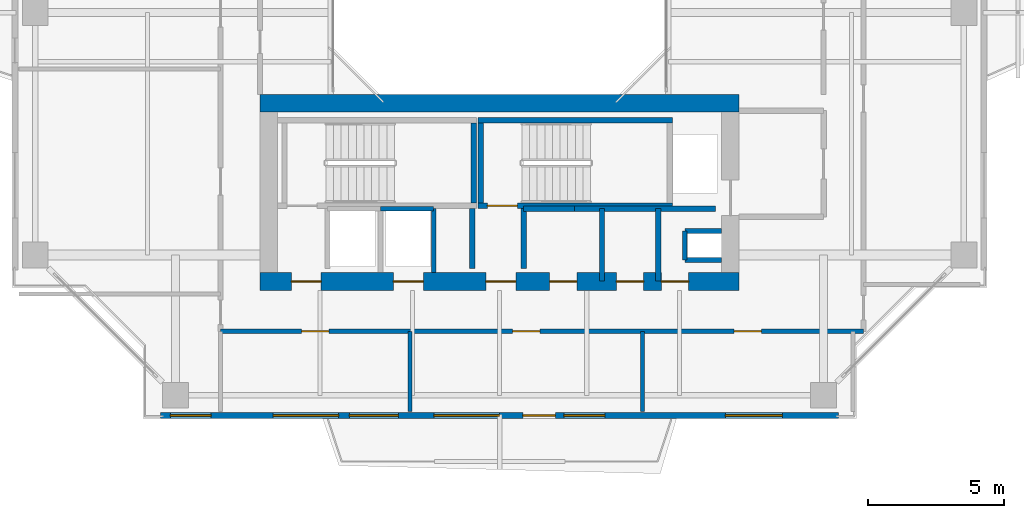
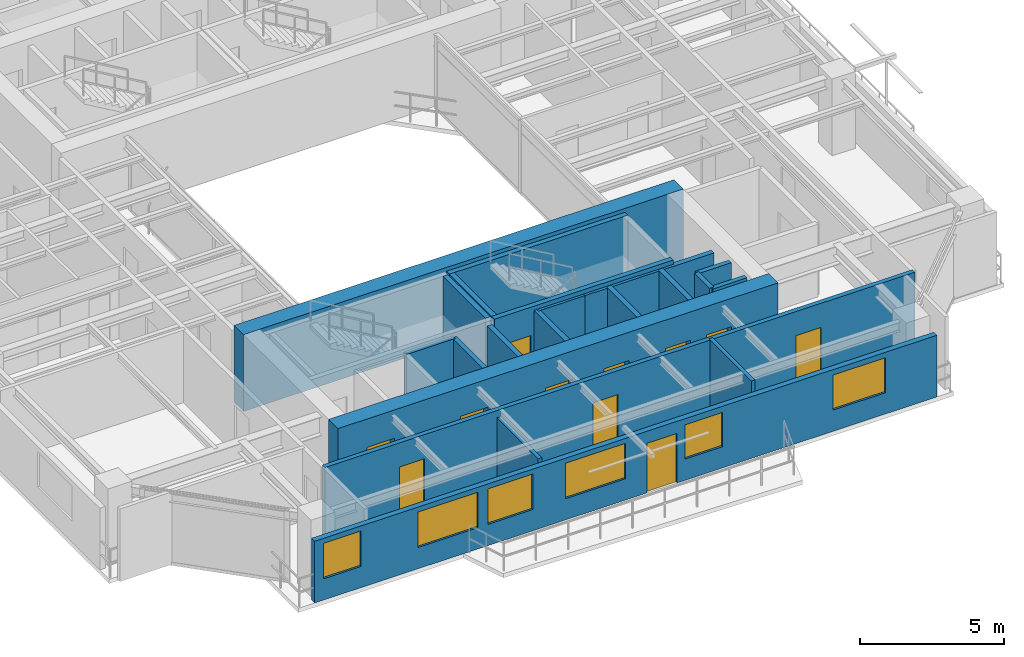
# One storey, part 10 of 17: 21 walls, 11 doors, 6 windows, 17 openings.
"""IFC4 building model written with IfcOpenShell, lengths in metres."""

from ifc_helpers import new_model, si_unit, direction, frame, frame_2d, origin, place, context, subcontext, project, spatial, rectangle, extrude, source, transform, mapped, material, layer, layer_set, type_object, element, fill, save


model = new_model("IFC4")

# Units and contexts
model_context = context("Model", 3, precision=1e-05, world=origin(), true_north=direction((0.0, 1.0)))
body_context = subcontext(model_context, "Body", "Model", "MODEL_VIEW")
ifc_project = project(units=[si_unit("LENGTHUNIT", "METRE"), si_unit("AREAUNIT", "SQUARE_METRE"), si_unit("VOLUMEUNIT", "CUBIC_METRE"), si_unit("PLANEANGLEUNIT", "RADIAN"), si_unit("MASSUNIT", "GRAM", prefix="KILO"), si_unit("THERMODYNAMICTEMPERATUREUNIT", "KELVIN"), si_unit("POWERUNIT", "WATT")], contexts=[model_context])

# Site, building, storey
site_placement = place(None, origin())
site = spatial("IfcSite", under=ifc_project, at=site_placement, CompositionType="ELEMENT")
building_placement = place(site_placement, origin())
building = spatial("IfcBuilding", under=site, at=building_placement, Name="Qiaomeng Ring Towers", CompositionType="ELEMENT")
storey_placement = place(building_placement, frame((0.0, 0.0, 150.25)))
storey = spatial("IfcBuildingStorey", under=building, at=storey_placement, Name="L43", CompositionType="ELEMENT", Elevation=150.25)

# Wall, openings, windows, door
ifc_material_1 = material(Name="Precast concrete C40", Category="concrete")
ifc_layer_1 = layer(ifc_material_1, 0.219970703125, Name="Precast concrete C40")
ifc_layer_set_1 = layer_set([ifc_layer_1], Name="Precast concrete C40")
wall_type_1 = type_object("IfcWallType", Name="ARC-WL-EW2", PredefinedType="STANDARD", material=ifc_layer_set_1)
wall_1_placement = place(storey_placement, frame((6.550048828125, 5.2099609375, 0.0), z_axis=(0.0, 0.0, 1.0), x_axis=(1.0, 0.0, 0.0)))
wall_1 = element("IfcWall", 1, at=wall_1_placement, inside=storey, type_object=wall_type_1, Name="L43 Tower 1 S Exterior Wall", PredefinedType="STANDARD", context=body_context, shape_type="SweptSolid", body=[
    extrude(rectangle(XDim=24.89990234375, YDim=0.219970703125, at=frame_2d((12.449951171875, 0.0))), origin(), (0.0, 0.0, 1.0), 2.610107421875),
])
opening_1_placement = place(wall_1_placement, frame((13.300048828125, 0.0, 0.0)))
opening_1 = element("IfcOpeningElement", 2, at=opening_1_placement, cuts=wall_1, Name="Opening BD1", PredefinedType="OPENING", context=body_context, shape_type="SweptSolid", body=[
    extrude(rectangle(XDim=1.199951171875, YDim=2.10009765625, at=frame_2d((0.60009765625, 1.050048828125))), frame((0.0, 0.119873046875, 0.0), z_axis=(0.0, -1.0, 0.0), x_axis=(1.0, 0.0, 0.0)), (0.0, 0.0, 1.0), 0.239990234375),
])
opening_2_placement = place(wall_1_placement, frame((0.357421875, 0.0, 0.89990234375)))
opening_2 = element("IfcOpeningElement", 3, at=opening_2_placement, cuts=wall_1, Name="Opening WN2", PredefinedType="OPENING", context=body_context, shape_type="SweptSolid", body=[
    extrude(rectangle(XDim=1.5, YDim=1.5, at=frame_2d((0.75, 0.75))), frame((0.0, 0.119873046875, 0.0), z_axis=(0.0, -1.0, 0.0), x_axis=(1.0, 0.0, 0.0)), (0.0, 0.0, 1.0), 0.239990234375),
])
opening_3_placement = place(wall_1_placement, frame((6.9306640625, 0.0, 0.89990234375)))
opening_3 = element("IfcOpeningElement", 4, at=opening_3_placement, cuts=wall_1, Name="Opening WN1", PredefinedType="OPENING", context=body_context, shape_type="SweptSolid", body=[
    extrude(rectangle(XDim=1.800048828125, YDim=1.5, at=frame_2d((0.89990234375, 0.75))), frame((0.0, 0.119873046875, 0.0), z_axis=(0.0, -1.0, 0.0), x_axis=(1.0, 0.0, 0.0)), (0.0, 0.0, 1.0), 0.239990234375),
])
opening_4_placement = place(wall_1_placement, frame((14.81298828125, 0.0, 0.89990234375)))
opening_4 = element("IfcOpeningElement", 5, at=opening_4_placement, cuts=wall_1, Name="Opening WN2", PredefinedType="OPENING", context=body_context, shape_type="SweptSolid", body=[
    extrude(rectangle(XDim=1.5, YDim=1.449951171875, at=frame_2d((0.75, 0.72509765625))), frame((0.0, 0.119873046875, 0.0), z_axis=(0.0, -1.0, 0.0), x_axis=(1.0, 0.0, 0.0)), (0.0, 0.0, 1.0), 0.239990234375),
])
opening_5_placement = place(wall_1_placement, frame((20.738037109375, 0.0, 0.89990234375)))
opening_5 = element("IfcOpeningElement", 6, at=opening_5_placement, cuts=wall_1, Name="Opening WN4", PredefinedType="OPENING", context=body_context, shape_type="SweptSolid", body=[
    extrude(rectangle(XDim=2.10009765625, YDim=1.47998046875, at=frame_2d((1.050048828125, 0.739990234375))), frame((0.0, 0.119873046875, 0.0), z_axis=(0.0, -1.0, 0.0), x_axis=(1.0, 0.0, 0.0)), (0.0, 0.0, 1.0), 0.239990234375),
])
opening_6_placement = place(wall_1_placement, frame((4.136474609375, 0.0, 0.89990234375)))
opening_6 = element("IfcOpeningElement", 7, at=opening_6_placement, cuts=wall_1, Name="Opening WN6", PredefinedType="OPENING", context=body_context, shape_type="SweptSolid", body=[
    extrude(rectangle(XDim=2.39990234375, YDim=1.5, at=frame_2d((1.199951171875, 0.75))), frame((0.0, 0.119873046875, 0.0), z_axis=(0.0, -1.0, 0.0), x_axis=(1.0, 0.0, 0.0)), (0.0, 0.0, 1.0), 0.239990234375),
])
opening_7_placement = place(wall_1_placement, frame((10.03759765625, 0.0, 0.89990234375)))
opening_7 = element("IfcOpeningElement", 8, at=opening_7_placement, cuts=wall_1, Name="Opening WN6", PredefinedType="OPENING", context=body_context, shape_type="SweptSolid", body=[
    extrude(rectangle(XDim=2.39990234375, YDim=1.5, at=frame_2d((1.199951171875, 0.75))), frame((0.0, 0.119873046875, 0.0), z_axis=(0.0, -1.0, 0.0), x_axis=(1.0, 0.0, 0.0)), (0.0, 0.0, 1.0), 0.239990234375),
])
ifc_material_2 = material(Name="Low-E dark-grey laminated double glazing", Category="glass")
window_type_1 = type_object("IfcWindowType", Name="ARC-WN-2", PartitioningType="DOUBLE_PANEL_VERTICAL", PredefinedType="WINDOW", material=ifc_material_2)
shared_shape_1 = source(origin(), body_context, "Body", "SweptSolid", [
    extrude(rectangle(XDim=1.5, YDim=1.449951171875, at=frame_2d((0.75, 0.72509765625))), frame((0.0, 0.030029296875, 0.0), z_axis=(0.0, -1.0, 0.0), x_axis=(1.0, 0.0, 0.0)), (0.0, 0.0, 1.0), 0.06005859375),
])
window_1_placement = place(opening_4_placement, origin())
window_1 = element("IfcWindow", 9, at=window_1_placement, inside=storey, type_object=window_type_1, Name="L43 Exterior Window WN2", OverallHeight=1.449951171875, OverallWidth=1.5, PartitioningType="DOUBLE_PANEL_VERTICAL", PredefinedType="WINDOW", context=body_context, shape_type="MappedRepresentation", body=[
    mapped(shared_shape_1, transform((0.0, 0.0, 0.0), x_axis=(1.0, 0.0, 0.0), y_axis=(0.0, 1.0, 0.0), z_axis=(0.0, 0.0, 1.0), scale=1.0)),
])
fill(opening_4, window_1)
window_type_2 = type_object("IfcWindowType", Name="ARC-WN-4", PartitioningType="TRIPLE_PANEL_VERTICAL", PredefinedType="WINDOW", material=ifc_material_2)
shared_shape_2 = source(origin(), body_context, "Body", "SweptSolid", [
    extrude(rectangle(XDim=2.10009765625, YDim=1.47998046875, at=frame_2d((1.050048828125, 0.739990234375))), frame((0.0, 0.030029296875, 0.0), z_axis=(0.0, -1.0, 0.0), x_axis=(1.0, 0.0, 0.0)), (0.0, 0.0, 1.0), 0.06005859375),
])
window_2_placement = place(opening_5_placement, origin())
window_2 = element("IfcWindow", 10, at=window_2_placement, inside=storey, type_object=window_type_2, Name="L43 Exterior Window WN4", OverallHeight=1.47998046875, OverallWidth=2.10009765625, PartitioningType="TRIPLE_PANEL_VERTICAL", PredefinedType="WINDOW", context=body_context, shape_type="MappedRepresentation", body=[
    mapped(shared_shape_2, transform((0.0, 0.0, 0.0), x_axis=(1.0, 0.0, 0.0), y_axis=(0.0, 1.0, 0.0), z_axis=(0.0, 0.0, 1.0), scale=1.0)),
])
fill(opening_5, window_2)
door_type_1 = type_object("IfcDoorType", Name="ARC-DR-BD1", OperationType="NOTDEFINED", PredefinedType="DOOR", material=ifc_material_2)
shared_shape_3 = source(origin(), body_context, "Body", "SweptSolid", [
    extrude(rectangle(XDim=1.199951171875, YDim=2.10009765625, at=frame_2d((0.60009765625, 1.050048828125))), frame((0.0, 0.02490234375, 0.0), z_axis=(0.0, -1.0, 0.0), x_axis=(1.0, 0.0, 0.0)), (0.0, 0.0, 1.0), 0.050048828125),
])
door_1_placement = place(opening_1_placement, frame((1.199951171875, 0.0, 0.0), z_axis=(0.0, 0.0, 1.0), x_axis=(-1.0, 0.0, 0.0)))
door_1 = element("IfcDoor", 11, at=door_1_placement, inside=storey, type_object=door_type_1, Name="L43 S Balcony Glazed Door", OperationType="SINGLE_SWING_LEFT", OverallHeight=2.10009765625, OverallWidth=1.199951171875, PredefinedType="DOOR", context=body_context, shape_type="MappedRepresentation", body=[
    mapped(shared_shape_3, transform((0.0, 0.0, 0.0), x_axis=(1.0, 0.0, 0.0), y_axis=(0.0, 1.0, 0.0), z_axis=(0.0, 0.0, 1.0), scale=1.0)),
])
fill(opening_1, door_1)
shared_shape_4 = source(origin(), body_context, "Body", "SweptSolid", [
    extrude(rectangle(XDim=1.5, YDim=1.5, at=frame_2d((0.75, 0.75))), frame((0.0, 0.030029296875, 0.0), z_axis=(0.0, -1.0, 0.0), x_axis=(1.0, 0.0, 0.0)), (0.0, 0.0, 1.0), 0.06005859375),
])
window_3_placement = place(opening_2_placement, origin())
window_3 = element("IfcWindow", 12, at=window_3_placement, inside=storey, type_object=window_type_1, Name="L43 Exterior Window WN6", OverallHeight=1.5, OverallWidth=1.5, PartitioningType="TRIPLE_PANEL_VERTICAL", PredefinedType="WINDOW", context=body_context, shape_type="MappedRepresentation", body=[
    mapped(shared_shape_4, transform((0.0, 0.0, 0.0), x_axis=(1.0, 0.0, 0.0), y_axis=(0.0, 1.0, 0.0), z_axis=(0.0, 0.0, 1.0), scale=1.0)),
])
fill(opening_2, window_3)
window_type_3 = type_object("IfcWindowType", Name="ARC-WN-6", PartitioningType="TRIPLE_PANEL_VERTICAL", PredefinedType="WINDOW", material=ifc_material_2)
shared_shape_5 = source(origin(), body_context, "Body", "SweptSolid", [
    extrude(rectangle(XDim=2.39990234375, YDim=1.5, at=frame_2d((1.199951171875, 0.75))), frame((0.0, 0.030029296875, 0.0), z_axis=(0.0, -1.0, 0.0), x_axis=(1.0, 0.0, 0.0)), (0.0, 0.0, 1.0), 0.06005859375),
])
window_4_placement = place(opening_6_placement, origin())
window_4 = element("IfcWindow", 13, at=window_4_placement, inside=storey, type_object=window_type_3, Name="L43 Exterior Window WN6", OverallHeight=1.5, OverallWidth=2.39990234375, PartitioningType="TRIPLE_PANEL_VERTICAL", PredefinedType="WINDOW", context=body_context, shape_type="MappedRepresentation", body=[
    mapped(shared_shape_5, transform((0.0, 0.0, 0.0), x_axis=(1.0, 0.0, 0.0), y_axis=(0.0, 1.0, 0.0), z_axis=(0.0, 0.0, 1.0), scale=1.0)),
])
fill(opening_6, window_4)
window_5_placement = place(opening_7_placement, origin())
window_5 = element("IfcWindow", 14, at=window_5_placement, inside=storey, type_object=window_type_3, Name="L43 Exterior Window WN6", OverallHeight=1.5, OverallWidth=2.39990234375, PartitioningType="TRIPLE_PANEL_VERTICAL", PredefinedType="WINDOW", context=body_context, shape_type="MappedRepresentation", body=[
    mapped(shared_shape_5, transform((0.0, 0.0, 0.0), x_axis=(1.0, 0.0, 0.0), y_axis=(0.0, 1.0, 0.0), z_axis=(0.0, 0.0, 1.0), scale=1.0)),
])
fill(opening_7, window_5)
window_type_4 = type_object("IfcWindowType", Name="ARC-WN-1", PartitioningType="DOUBLE_PANEL_VERTICAL", PredefinedType="WINDOW", material=ifc_material_2)
shared_shape_6 = source(origin(), body_context, "Body", "SweptSolid", [
    extrude(rectangle(XDim=1.800048828125, YDim=1.5, at=frame_2d((0.89990234375, 0.75))), frame((0.0, 0.030029296875, 0.0), z_axis=(0.0, -1.0, 0.0), x_axis=(1.0, 0.0, 0.0)), (0.0, 0.0, 1.0), 0.06005859375),
])
window_6_placement = place(opening_3_placement, origin())
window_6 = element("IfcWindow", 15, at=window_6_placement, inside=storey, type_object=window_type_4, Name="L43 Exterior Window WN1", OverallHeight=1.5, OverallWidth=1.800048828125, PartitioningType="DOUBLE_PANEL_VERTICAL", PredefinedType="WINDOW", context=body_context, shape_type="MappedRepresentation", body=[
    mapped(shared_shape_6, transform((0.0, 0.0, 0.0), x_axis=(1.0, 0.0, 0.0), y_axis=(0.0, 1.0, 0.0), z_axis=(0.0, 0.0, 1.0), scale=1.0)),
])
fill(opening_3, window_6)

# Walls
ifc_material_3 = material(Name="Autoclaved aerated concrete block", Category="concrete")
ifc_layer_2 = layer(ifc_material_3, 0.199951171875, Name="Autoclaved aerated concrete block")
ifc_layer_set_2 = layer_set([ifc_layer_2], Name="Autoclaved aerated concrete block")
wall_type_2 = type_object("IfcWallType", Name="ARC-WL-PW1", PredefinedType="PARTITIONING", material=ifc_layer_set_2)
for number, where, z_axis, x_axis, name in (
    (16, (18.0, 10.60009765625, 0.0), (0.0, 0.0, 1.0), (0.0, 1.0, 0.0), "L43 Interior Wall PW1"),
    (17, (19.8798828125, 10.60009765625, 0.0), (0.0, 0.0, 1.0), (0.0, 1.0, 0.0), "L43 Interior Wall PW1"),
):
    element("IfcWall", number, at=place(storey_placement, frame(where, z_axis=z_axis, x_axis=x_axis)), inside=storey, type_object=wall_type_2, Name=name, PredefinedType="PARTITIONING", context=body_context, shape_type="SweptSolid", body=[
        extrude(rectangle(XDim=2.2099609375, YDim=0.199951171875, at=frame_2d((1.10498046875, 0.0))), origin(), (0.0, 0.0, 1.0), 3.070068359375),
    ])
wall_2_placement = place(storey_placement, frame((24.820068359375, 10.14990234375, 0.0), z_axis=(0.0, 0.0, 1.0), x_axis=(0.0, 1.0, 0.0)))
element("IfcWall", 18, at=wall_2_placement, inside=storey, type_object=wall_type_2, Name="L43 Interior Wall PW1", PredefinedType="PARTITIONING", context=body_context, shape_type="SweptSolid", body=[
    extrude(rectangle(XDim=2.650146484375, YDim=0.199951171875, at=frame_2d((1.3251953125, 0.0))), origin(), (0.0, 0.0, 1.0), 3.070068359375),
])
wall_3_placement = place(storey_placement, frame((19.8798828125, 12.800048828125, 0.0), z_axis=(0.0, 0.0, 1.0), x_axis=(1.0, 0.0, 0.0)))
element("IfcWall", 19, at=wall_3_placement, inside=storey, type_object=wall_type_2, Name="L43 Interior Wall PW1", PredefinedType="PARTITIONING", context=body_context, shape_type="SweptSolid", body=[
    extrude(rectangle(XDim=1.8701171875, YDim=0.199951171875, at=frame_2d((0.93505859375, 0.0))), origin(), (0.0, 0.0, 1.0), 3.070068359375),
])
wall_4_placement = place(storey_placement, frame((22.760009765625, 10.14990234375, 0.0), z_axis=(0.0, 0.0, 1.0), x_axis=(0.0, 1.0, 0.0)))
element("IfcWall", 20, at=wall_4_placement, inside=storey, type_object=wall_type_2, Name="L43 Interior Wall PW1", PredefinedType="PARTITIONING", context=body_context, shape_type="SweptSolid", body=[
    extrude(rectangle(XDim=2.650146484375, YDim=0.199951171875, at=frame_2d((1.3251953125, 0.0))), origin(), (0.0, 0.0, 1.0), 3.070068359375),
])
wall_5_placement = place(storey_placement, frame((21.75, 12.800048828125, 0.0), z_axis=(0.0, 0.0, 1.0), x_axis=(1.0, 0.0, 0.0)))
element("IfcWall", 21, at=wall_5_placement, inside=storey, type_object=wall_type_2, Name="L43 Interior Wall PW1", PredefinedType="PARTITIONING", context=body_context, shape_type="SweptSolid", body=[
    extrude(rectangle(XDim=5.169921875, YDim=0.199951171875, at=frame_2d((2.5849609375, 0.0))), origin(), (0.0, 0.0, 1.0), 3.070068359375),
])

# Wall, openings, doors
ifc_layer_3 = layer(ifc_material_3, 0.179931640625, Name="Autoclaved aerated concrete block")
ifc_layer_set_3 = layer_set([ifc_layer_3], Name="Autoclaved aerated concrete block")
wall_type_3 = type_object("IfcWallType", Name="ARC-WL-PW2", PredefinedType="PARTITIONING", material=ifc_layer_set_3)
wall_6_placement = place(storey_placement, frame((8.75, 8.300048828125, 0.0), z_axis=(0.0, 0.0, 1.0), x_axis=(1.0, 0.0, 0.0)))
wall_6 = element("IfcWall", 22, at=wall_6_placement, inside=storey, type_object=wall_type_3, Name="L43 Interior Wall PW2", PredefinedType="PARTITIONING", context=body_context, shape_type="SweptSolid", body=[
    extrude(rectangle(XDim=23.610107421875, YDim=0.179931640625, at=frame_2d((11.80517578125, 0.0))), origin(), (0.0, 0.0, 1.0), 3.070068359375),
])
opening_8_placement = place(wall_6_placement, frame((2.97998046875, 0.0, 0.0)))
opening_8 = element("IfcOpeningElement", 23, at=opening_8_placement, cuts=wall_6, Name="Opening FD4", PredefinedType="OPENING", context=body_context, shape_type="SweptSolid", body=[
    extrude(rectangle(XDim=1.0, YDim=2.050048828125, at=frame_2d((0.5, 1.02490234375))), frame((0.0, 0.099853515625, 0.0), z_axis=(0.0, -1.0, 0.0), x_axis=(1.0, 0.0, 0.0)), (0.0, 0.0, 1.0), 0.199951171875),
])
opening_9_placement = place(wall_6_placement, frame((10.72509765625, 0.0, 0.0)))
opening_9 = element("IfcOpeningElement", 24, at=opening_9_placement, cuts=wall_6, Name="Opening FD4", PredefinedType="OPENING", context=body_context, shape_type="SweptSolid", body=[
    extrude(rectangle(XDim=1.0, YDim=2.050048828125, at=frame_2d((0.5, 1.02490234375))), frame((0.0, 0.099853515625, 0.0), z_axis=(0.0, -1.0, 0.0), x_axis=(1.0, 0.0, 0.0)), (0.0, 0.0, 1.0), 0.199951171875),
])
opening_10_placement = place(wall_6_placement, frame((18.860107421875, 0.0, 0.0)))
opening_10 = element("IfcOpeningElement", 25, at=opening_10_placement, cuts=wall_6, Name="Opening FD4", PredefinedType="OPENING", context=body_context, shape_type="SweptSolid", body=[
    extrude(rectangle(XDim=1.0, YDim=2.050048828125, at=frame_2d((0.5, 1.02490234375))), frame((0.0, 0.099853515625, 0.0), z_axis=(0.0, -1.0, 0.0), x_axis=(1.0, 0.0, 0.0)), (0.0, 0.0, 1.0), 0.199951171875),
])
ifc_material_4 = material(Name="Engineered fire-rated oak timber", Category="wood")
door_type_2 = type_object("IfcDoorType", Name="ARC-DR-FD4", OperationType="NOTDEFINED", PredefinedType="DOOR", material=ifc_material_4)
shared_shape_7 = source(origin(), body_context, "Body", "SweptSolid", [
    extrude(rectangle(XDim=1.0, YDim=2.050048828125, at=frame_2d((0.5, 1.02490234375))), frame((0.0, 0.02490234375, 0.0), z_axis=(0.0, -1.0, 0.0), x_axis=(1.0, 0.0, 0.0)), (0.0, 0.0, 1.0), 0.050048828125),
])
door_2_placement = place(opening_8_placement, origin())
door_2 = element("IfcDoor", 26, at=door_2_placement, inside=storey, type_object=door_type_2, Name="L43 Door FD4", OperationType="SINGLE_SWING_RIGHT", OverallHeight=2.050048828125, OverallWidth=1.0, PredefinedType="DOOR", context=body_context, shape_type="MappedRepresentation", body=[
    mapped(shared_shape_7, transform((0.0, 0.0, 0.0), x_axis=(1.0, 0.0, 0.0), y_axis=(0.0, 1.0, 0.0), z_axis=(0.0, 0.0, 1.0), scale=1.0)),
])
fill(opening_8, door_2)
door_3_placement = place(opening_9_placement, origin())
door_3 = element("IfcDoor", 27, at=door_3_placement, inside=storey, type_object=door_type_2, Name="L43 Door FD4", OperationType="SINGLE_SWING_LEFT", OverallHeight=2.050048828125, OverallWidth=1.0, PredefinedType="DOOR", context=body_context, shape_type="MappedRepresentation", body=[
    mapped(shared_shape_7, transform((0.0, 0.0, 0.0), x_axis=(1.0, 0.0, 0.0), y_axis=(0.0, 1.0, 0.0), z_axis=(0.0, 0.0, 1.0), scale=1.0)),
])
fill(opening_9, door_3)
door_4_placement = place(opening_10_placement, origin())
door_4 = element("IfcDoor", 28, at=door_4_placement, inside=storey, type_object=door_type_2, Name="L43 Door FD4", OperationType="SINGLE_SWING_RIGHT", OverallHeight=2.050048828125, OverallWidth=1.0, PredefinedType="DOOR", context=body_context, shape_type="MappedRepresentation", body=[
    mapped(shared_shape_7, transform((0.0, 0.0, 0.0), x_axis=(1.0, 0.0, 0.0), y_axis=(0.0, 1.0, 0.0), z_axis=(0.0, 0.0, 1.0), scale=1.0)),
])
fill(opening_10, door_4)

# Walls
ifc_material_5 = material(Name="Gypsum fireboard steel-stud partition", Category="steel")
ifc_layer_4 = layer(ifc_material_5, 0.14990234375, Name="Gypsum fireboard steel-stud partition")
ifc_layer_set_4 = layer_set([ifc_layer_4], Name="Gypsum fireboard steel-stud partition")
wall_type_4 = type_object("IfcWallType", Name="ARC-WL-PW3", PredefinedType="PARTITIONING", material=ifc_layer_set_4)
wall_7_placement = place(storey_placement, frame((15.7099609375, 5.35009765625, 0.0), z_axis=(0.0, 0.0, 1.0), x_axis=(0.0, 1.0, 0.0)))
element("IfcWall", 29, at=wall_7_placement, inside=storey, type_object=wall_type_4, Name="L43 Interior Wall PW3", PredefinedType="PARTITIONING", context=body_context, shape_type="SweptSolid", body=[
    extrude(rectangle(XDim=2.949951171875, YDim=0.14990234375, at=frame_2d((1.47509765625, 0.0))), origin(), (0.0, 0.0, 1.0), 2.764892578125),
])
wall_8_placement = place(storey_placement, frame((24.239990234375, 5.35009765625, 0.0), z_axis=(0.0, 0.0, 1.0), x_axis=(0.0, 1.0, 0.0)))
element("IfcWall", 30, at=wall_8_placement, inside=storey, type_object=wall_type_4, Name="L43 Interior Wall PW3", PredefinedType="PARTITIONING", context=body_context, shape_type="SweptSolid", body=[
    extrude(rectangle(XDim=2.949951171875, YDim=0.14990234375, at=frame_2d((1.47509765625, 0.0))), origin(), (0.0, 0.0, 1.0), 3.070068359375),
])
ifc_material_6 = material(Name="Concrete C40", Category="concrete")
ifc_layer_5 = layer(ifc_material_6, 0.199951171875, Name="Concrete C40")
ifc_layer_set_5 = layer_set([ifc_layer_5], Name="Concrete C40")
wall_type_5 = type_object("IfcWallType", Name="STR-WL-STSHAFT", PredefinedType="SHEAR", material=ifc_layer_set_5)
wall_9_placement = place(storey_placement, frame((25.800048828125, 10.919921875, 0.0), z_axis=(0.0, 0.0, 1.0), x_axis=(0.0, 1.0, 0.0)))
element("IfcWall", 31, at=wall_9_placement, inside=storey, type_object=wall_type_5, Name="L43 Riser RSR1 West Shaft Wall S", PredefinedType="SHEAR", context=body_context, shape_type="SweptSolid", body=[
    extrude(rectangle(XDim=1.06005859375, YDim=0.179931640625, at=frame_2d((0.530029296875, 0.0))), origin(), (0.0, 0.0, 1.0), 3.070068359375),
])
for number, where, z_axis, x_axis, name in (
    (32, (25.800048828125, 11.97998046875, 0.0), (0.0, 0.0, 1.0), (1.0, 0.0, 0.0), "L43 Riser RSR1 North Shaft Wall S"),
    (33, (25.800048828125, 10.919921875, 0.0), (0.0, 0.0, 1.0), (1.0, 0.0, 0.0), "L43 Riser RSR1 South Shaft Wall S"),
):
    element("IfcWall", number, at=place(storey_placement, frame(where, z_axis=z_axis, x_axis=x_axis)), inside=storey, type_object=wall_type_5, Name=name, PredefinedType="SHEAR", context=body_context, shape_type="SweptSolid", body=[
        extrude(rectangle(XDim=1.349853515625, YDim=0.179931640625, at=frame_2d((0.6748046875, 0.0))), origin(), (0.0, 0.0, 1.0), 3.070068359375),
    ])
wall_10_placement = place(storey_placement, frame((14.6201171875, 12.800048828125, 0.0), z_axis=(0.0, 0.0, 1.0), x_axis=(1.0, 0.0, 0.0)))
element("IfcWall", 34, at=wall_10_placement, inside=storey, type_object=wall_type_5, Name="L43 Lift LP4 Shaft Back Wall", PredefinedType="SHEAR", context=body_context, shape_type="SweptSolid", body=[
    extrude(rectangle(XDim=1.9599609375, YDim=0.179931640625, at=frame_2d((0.97998046875, 0.0))), origin(), (0.0, 0.0, 1.0), 3.070068359375),
])
wall_11_placement = place(storey_placement, frame((16.580078125, 10.449951171875, 0.0), z_axis=(0.0, 0.0, 1.0), x_axis=(0.0, 1.0, 0.0)))
element("IfcWall", 35, at=wall_11_placement, inside=storey, type_object=wall_type_5, Name="L43 Lift LP4 East Shaft Wall", PredefinedType="SHEAR", context=body_context, shape_type="SweptSolid", body=[
    extrude(rectangle(XDim=2.35009765625, YDim=0.179931640625, at=frame_2d((1.175048828125, 0.0))), origin(), (0.0, 0.0, 1.0), 3.070068359375),
])
wall_12_placement = place(storey_placement, frame((18.050048828125, 13.010009765625, 0.0), z_axis=(0.0, 0.0, 1.0), x_axis=(0.0, 1.0, 0.0)))
element("IfcWall", 36, at=wall_12_placement, inside=storey, type_object=wall_type_5, Name="L43 Stair ST3 East Shaft Shear Wall", PredefinedType="SHEAR", context=body_context, shape_type="SweptSolid", body=[
    extrude(rectangle(XDim=2.93994140625, YDim=0.199951171875, at=frame_2d((1.469970703125, 0.0))), origin(), (0.0, 0.0, 1.0), 3.25),
])

# Wall, opening, door
wall_13_placement = place(storey_placement, frame((18.199951171875, 12.909912109375, 0.0), z_axis=(0.0, 0.0, 1.0), x_axis=(1.0, 0.0, 0.0)))
wall_13 = element("IfcWall", 37, at=wall_13_placement, inside=storey, type_object=wall_type_5, Name="L43 Stair ST4 South Shaft Shear Wall", PredefinedType="SHEAR", context=body_context, shape_type="SweptSolid", body=[
    extrude(rectangle(XDim=7.150146484375, YDim=0.199951171875, at=frame_2d((3.5751953125, 0.0))), origin(), (0.0, 0.0, 1.0), 3.25),
])
opening_11_placement = place(wall_13_placement, frame((0.35009765625, 0.0, 0.0)))
opening_11 = element("IfcOpeningElement", 38, at=opening_11_placement, cuts=wall_13, Name="Opening FD3", PredefinedType="OPENING", context=body_context, shape_type="SweptSolid", body=[
    extrude(rectangle(XDim=1.10009765625, YDim=2.050048828125, at=frame_2d((0.550048828125, 1.02490234375))), frame((0.0, 0.10986328125, 0.0), z_axis=(0.0, -1.0, 0.0), x_axis=(1.0, 0.0, 0.0)), (0.0, 0.0, 1.0), 0.219970703125),
])
ifc_material_7 = material(Name="Galvanised steel", Category="steel")
door_type_3 = type_object("IfcDoorType", Name="ARC-DR-FD3", OperationType="NOTDEFINED", PredefinedType="DOOR", material=ifc_material_7)
shared_shape_8 = source(origin(), body_context, "Body", "SweptSolid", [
    extrude(rectangle(XDim=1.10009765625, YDim=2.050048828125, at=frame_2d((0.550048828125, 1.02490234375))), frame((0.0, 0.02490234375, 0.0), z_axis=(0.0, -1.0, 0.0), x_axis=(1.0, 0.0, 0.0)), (0.0, 0.0, 1.0), 0.050048828125),
])
door_5_placement = place(opening_11_placement, frame((1.10009765625, 0.0, 0.0), z_axis=(0.0, 0.0, 1.0), x_axis=(-1.0, 0.0, 0.0)))
door_5 = element("IfcDoor", 39, at=door_5_placement, inside=storey, type_object=door_type_3, Name="L43 Stair ST4 Exit Door", OperationType="SINGLE_SWING_LEFT", OverallHeight=2.050048828125, OverallWidth=1.10009765625, PredefinedType="DOOR", context=body_context, shape_type="MappedRepresentation", body=[
    mapped(shared_shape_8, transform((0.0, 0.0, 0.0), x_axis=(1.0, 0.0, 0.0), y_axis=(0.0, 1.0, 0.0), z_axis=(0.0, 0.0, 1.0), scale=1.0)),
])
fill(opening_11, door_5)

# Walls
wall_14_placement = place(storey_placement, frame((18.199951171875, 16.050048828125, 0.0), z_axis=(0.0, 0.0, 1.0), x_axis=(1.0, 0.0, 0.0)))
element("IfcWall", 40, at=wall_14_placement, inside=storey, type_object=wall_type_5, Name="L43 Stair ST4 North Shaft Shear Wall", PredefinedType="SHEAR", context=body_context, shape_type="SweptSolid", body=[
    extrude(rectangle(XDim=7.150146484375, YDim=0.199951171875, at=frame_2d((3.5751953125, 0.0))), origin(), (0.0, 0.0, 1.0), 3.25),
])
wall_15_placement = place(storey_placement, frame((18.300048828125, 13.010009765625, 0.0), z_axis=(0.0, 0.0, 1.0), x_axis=(0.0, 1.0, 0.0)))
element("IfcWall", 41, at=wall_15_placement, inside=storey, type_object=wall_type_5, Name="L43 Stair ST4 West Shaft Shear Wall", PredefinedType="SHEAR", context=body_context, shape_type="SweptSolid", body=[
    extrude(rectangle(XDim=2.93994140625, YDim=0.199951171875, at=frame_2d((1.469970703125, 0.0))), origin(), (0.0, 0.0, 1.0), 3.25),
])

# Wall, openings, doors
ifc_material_8 = material(Name="Concrete C50", Category="concrete")
ifc_layer_6 = layer(ifc_material_8, 0.64990234375, Name="Concrete C50")
ifc_layer_set_6 = layer_set([ifc_layer_6], Name="Concrete C50")
wall_type_6 = type_object("IfcWallType", Name="STR-WL-SW2B", PredefinedType="SHEAR", material=ifc_layer_set_6)
wall_16_placement = place(storey_placement, frame((10.199951171875, 10.125, 0.0), z_axis=(0.0, 0.0, 1.0), x_axis=(1.0, 0.0, 0.0)))
wall_16 = element("IfcWall", 42, at=wall_16_placement, inside=storey, type_object=wall_type_6, Name="L43 T1SC south core shear wall", PredefinedType="SHEAR", context=body_context, shape_type="SweptSolid", body=[
    extrude(rectangle(XDim=17.60009765625, YDim=0.64990234375, at=frame_2d((8.800048828125, 0.0))), origin(), (0.0, 0.0, 1.0), 3.25),
])
opening_12_placement = place(wall_16_placement, frame((1.14990234375, 0.0, 0.0)))
opening_12 = element("IfcOpeningElement", 43, at=opening_12_placement, cuts=wall_16, Name="Opening FD3", PredefinedType="OPENING", context=body_context, shape_type="SweptSolid", body=[
    extrude(rectangle(XDim=1.10009765625, YDim=2.050048828125, at=frame_2d((0.550048828125, 1.02490234375))), frame((0.0, 0.3349609375, 0.0), z_axis=(0.0, -1.0, 0.0), x_axis=(1.0, 0.0, 0.0)), (0.0, 0.0, 1.0), 0.669921875),
])
opening_13_placement = place(wall_16_placement, frame((8.300048828125, 0.0, 0.0)))
opening_13 = element("IfcOpeningElement", 44, at=opening_13_placement, cuts=wall_16, Name="Opening FD3", PredefinedType="OPENING", context=body_context, shape_type="SweptSolid", body=[
    extrude(rectangle(XDim=1.10009765625, YDim=2.050048828125, at=frame_2d((0.550048828125, 1.02490234375))), frame((0.0, 0.3349609375, 0.0), z_axis=(0.0, -1.0, 0.0), x_axis=(1.0, 0.0, 0.0)), (0.0, 0.0, 1.0), 0.669921875),
])
opening_14_placement = place(wall_16_placement, frame((4.89990234375, 0.0, 0.0)))
opening_14 = element("IfcOpeningElement", 45, at=opening_14_placement, cuts=wall_16, Name="Opening LD1", PredefinedType="OPENING", context=body_context, shape_type="SweptSolid", body=[
    extrude(rectangle(XDim=1.10009765625, YDim=2.050048828125, at=frame_2d((0.550048828125, 1.02490234375))), frame((0.0, 0.3349609375, 0.0), z_axis=(0.0, -1.0, 0.0), x_axis=(1.0, 0.0, 0.0)), (0.0, 0.0, 1.0), 0.669921875),
])
opening_15_placement = place(wall_16_placement, frame((14.739990234375, 0.0, 0.0)))
opening_15 = element("IfcOpeningElement", 46, at=opening_15_placement, cuts=wall_16, Name="Opening FD1", PredefinedType="OPENING", context=body_context, shape_type="SweptSolid", body=[
    extrude(rectangle(XDim=1.0, YDim=2.050048828125, at=frame_2d((0.5, 1.02490234375))), frame((0.0, 0.3349609375, 0.0), z_axis=(0.0, -1.0, 0.0), x_axis=(1.0, 0.0, 0.0)), (0.0, 0.0, 1.0), 0.669921875),
])
opening_16_placement = place(wall_16_placement, frame((10.639892578125, 0.0, 0.0)))
opening_16 = element("IfcOpeningElement", 47, at=opening_16_placement, cuts=wall_16, Name="Opening FD1", PredefinedType="OPENING", context=body_context, shape_type="SweptSolid", body=[
    extrude(rectangle(XDim=1.0, YDim=2.050048828125, at=frame_2d((0.5, 1.02490234375))), frame((0.0, 0.3349609375, 0.0), z_axis=(0.0, -1.0, 0.0), x_axis=(1.0, 0.0, 0.0)), (0.0, 0.0, 1.0), 0.669921875),
])
opening_17_placement = place(wall_16_placement, frame((13.090087890625, 0.0, 0.0)))
opening_17 = element("IfcOpeningElement", 48, at=opening_17_placement, cuts=wall_16, Name="Opening FD1", PredefinedType="OPENING", context=body_context, shape_type="SweptSolid", body=[
    extrude(rectangle(XDim=1.0, YDim=2.050048828125, at=frame_2d((0.5, 1.02490234375))), frame((0.0, 0.3349609375, 0.0), z_axis=(0.0, -1.0, 0.0), x_axis=(1.0, 0.0, 0.0)), (0.0, 0.0, 1.0), 0.669921875),
])
door_6_placement = place(opening_12_placement, origin())
door_6 = element("IfcDoor", 49, at=door_6_placement, inside=storey, type_object=door_type_3, Name="L43 Stair ST3 Lobby Door", OperationType="SINGLE_SWING_RIGHT", OverallHeight=2.050048828125, OverallWidth=1.10009765625, PredefinedType="DOOR", context=body_context, shape_type="MappedRepresentation", body=[
    mapped(shared_shape_8, transform((0.0, 0.0, 0.0), x_axis=(1.0, 0.0, 0.0), y_axis=(0.0, 1.0, 0.0), z_axis=(0.0, 0.0, 1.0), scale=1.0)),
])
fill(opening_12, door_6)
door_7_placement = place(opening_13_placement, origin())
door_7 = element("IfcDoor", 50, at=door_7_placement, inside=storey, type_object=door_type_3, Name="L43 Stair ST4 Lobby Door", OperationType="SINGLE_SWING_RIGHT", OverallHeight=2.050048828125, OverallWidth=1.10009765625, PredefinedType="DOOR", context=body_context, shape_type="MappedRepresentation", body=[
    mapped(shared_shape_8, transform((0.0, 0.0, 0.0), x_axis=(1.0, 0.0, 0.0), y_axis=(0.0, 1.0, 0.0), z_axis=(0.0, 0.0, 1.0), scale=1.0)),
])
fill(opening_13, door_7)
ifc_material_9 = material(Name="Stainless steel 316", Category="steel")
door_type_4 = type_object("IfcDoorType", Name="ARC-DR-LD1", OperationType="NOTDEFINED", PredefinedType="DOOR", material=ifc_material_9)
door_8_placement = place(opening_14_placement, origin())
door_8 = element("IfcDoor", 51, at=door_8_placement, inside=storey, type_object=door_type_4, Name="L43 Mid-Zone Lift LP4 Landing Door", OperationType="SLIDING_TO_RIGHT", OverallHeight=2.050048828125, OverallWidth=1.10009765625, PredefinedType="DOOR", context=body_context, shape_type="MappedRepresentation", body=[
    mapped(shared_shape_8, transform((0.0, 0.0, 0.0), x_axis=(1.0, 0.0, 0.0), y_axis=(0.0, 1.0, 0.0), z_axis=(0.0, 0.0, 1.0), scale=1.0)),
])
fill(opening_14, door_8)
door_type_5 = type_object("IfcDoorType", Name="ARC-DR-FD1", OperationType="NOTDEFINED", PredefinedType="DOOR", material=ifc_material_7)
door_9_placement = place(opening_15_placement, origin())
door_9 = element("IfcDoor", 52, at=door_9_placement, inside=storey, type_object=door_type_5, Name="L43 South Electrical Riser Door", OperationType="SINGLE_SWING_LEFT", OverallHeight=2.050048828125, OverallWidth=1.0, PredefinedType="DOOR", context=body_context, shape_type="MappedRepresentation", body=[
    mapped(shared_shape_7, transform((0.0, 0.0, 0.0), x_axis=(1.0, 0.0, 0.0), y_axis=(0.0, 1.0, 0.0), z_axis=(0.0, 0.0, 1.0), scale=1.0)),
])
fill(opening_15, door_9)
door_10_placement = place(opening_16_placement, origin())
door_10 = element("IfcDoor", 53, at=door_10_placement, inside=storey, type_object=door_type_5, Name="L43 South Telemetry Study Door", OperationType="SINGLE_SWING_RIGHT", OverallHeight=2.050048828125, OverallWidth=1.0, PredefinedType="DOOR", context=body_context, shape_type="MappedRepresentation", body=[
    mapped(shared_shape_7, transform((0.0, 0.0, 0.0), x_axis=(1.0, 0.0, 0.0), y_axis=(0.0, 1.0, 0.0), z_axis=(0.0, 0.0, 1.0), scale=1.0)),
])
fill(opening_16, door_10)
door_11_placement = place(opening_17_placement, origin())
door_11 = element("IfcDoor", 54, at=door_11_placement, inside=storey, type_object=door_type_5, Name="L43 South Staff Pantry Door", OperationType="SINGLE_SWING_LEFT", OverallHeight=2.050048828125, OverallWidth=1.0, PredefinedType="DOOR", context=body_context, shape_type="MappedRepresentation", body=[
    mapped(shared_shape_7, transform((0.0, 0.0, 0.0), x_axis=(1.0, 0.0, 0.0), y_axis=(0.0, 1.0, 0.0), z_axis=(0.0, 0.0, 1.0), scale=1.0)),
])
fill(opening_17, door_11)

# Wall
wall_17_placement = place(storey_placement, frame((10.199951171875, 16.675048828125, 0.0), z_axis=(0.0, 0.0, 1.0), x_axis=(1.0, 0.0, 0.0)))
element("IfcWall", 55, at=wall_17_placement, inside=storey, type_object=wall_type_6, Name="L43 T1SC north core shear wall", PredefinedType="SHEAR", context=body_context, shape_type="SweptSolid", body=[
    extrude(rectangle(XDim=17.60009765625, YDim=0.64990234375, at=frame_2d((8.800048828125, 0.0))), origin(), (0.0, 0.0, 1.0), 3.25),
])

save(model, "model.ifc")
